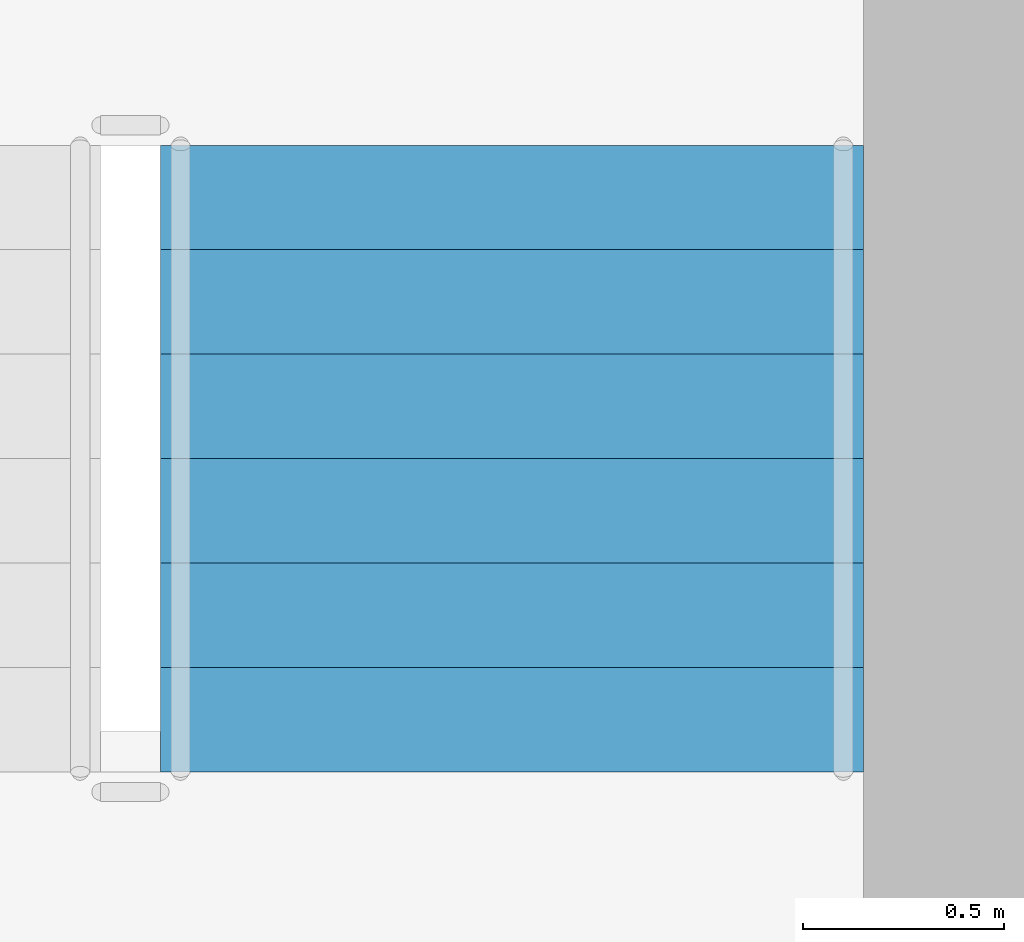
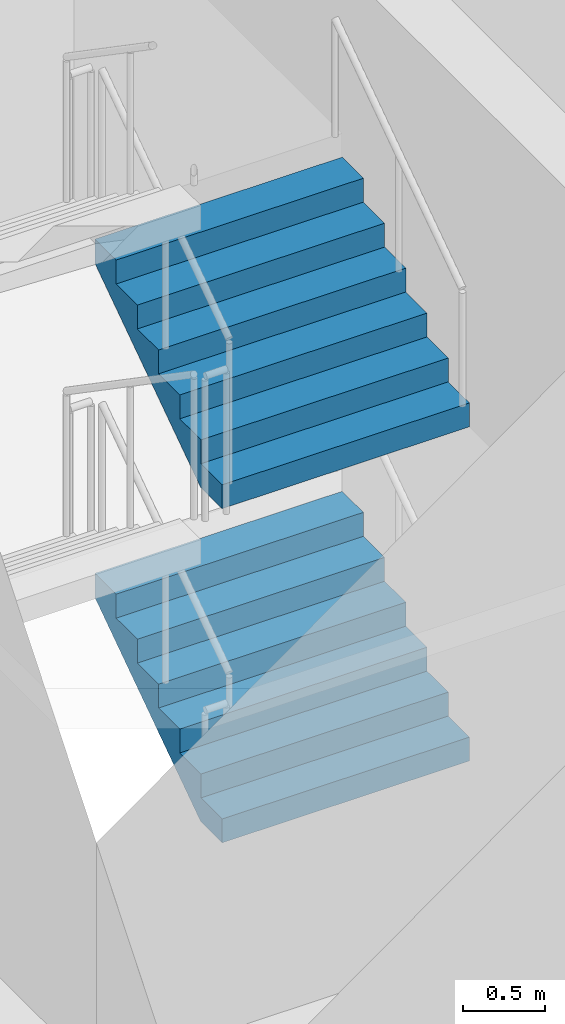
# One storey, part 41 of 59: 2 stair flights, 1 element without a shape of its own.
"""IFC4 building model written with IfcOpenShell, lengths in metres."""

from ifc_helpers import new_model, si_unit, direction, frame, origin, place, context, subcontext, project, spatial, faceted_brep, material, type_object, element, aggregate, save


model = new_model("IFC4")

# Units and contexts
model_context = context("Model", 3, precision=1e-05, world=origin(), true_north=direction((0.0, 1.0)))
body_context = subcontext(model_context, "Body", "Model", "MODEL_VIEW")
ifc_project = project(units=[si_unit("LENGTHUNIT", "METRE"), si_unit("AREAUNIT", "SQUARE_METRE"), si_unit("VOLUMEUNIT", "CUBIC_METRE"), si_unit("PLANEANGLEUNIT", "RADIAN"), si_unit("MASSUNIT", "GRAM", prefix="KILO")], contexts=[model_context])

# Site, building, storey
site_placement = place(None, origin())
site = spatial("IfcSite", under=ifc_project, at=site_placement, CompositionType="ELEMENT")
building_placement = place(site_placement, origin())
building = spatial("IfcBuilding", under=site, at=building_placement, Name="Ipe Terrace Towers", CompositionType="ELEMENT")
storey_placement = place(building_placement, frame((0.0, 0.0, 6.0)))
storey = spatial("IfcBuildingStorey", under=building, at=storey_placement, Name="L01", CompositionType="ELEMENT", Elevation=6.0)

# Stair, stair flights
ifc_material_1 = material(Name="Concrete C30/37", Category="concrete")
stair_type = type_object("IfcStairType", Name="Protected exit stair", PredefinedType="HALF_TURN_STAIR", material=ifc_material_1)
stair_placement = place(storey_placement, origin())
stair = element("IfcStair", 1, at=stair_placement, inside=storey, type_object=stair_type, Name="L01 Exit stair T2-C1", PredefinedType="HALF_TURN_STAIR")
ifc_material_2 = material(Name="Concrete C30/37", Category="concrete")
stair_flight_type = type_object("IfcStairFlightType", Name="Exit stair flight 1750", PredefinedType="STRAIGHT", material=ifc_material_2)
stair_flight_1_placement = place(storey_placement, frame((33.22509765625, 9.699951171875, 0.0), z_axis=(0.0, 0.0, 1.0), x_axis=(0.0, 1.0, 0.0)))
stair_flight_1 = element("IfcStairFlight", 2, at=stair_flight_1_placement, type_object=stair_flight_type, Name="T2-ST1 flight 1", NumberOfRisers=7, NumberOfTreads=6, PredefinedType="STRAIGHT", RiserHeight=0.178571429, TreadLength=0.26, context=body_context, shape_type="Brep", body=[
    faceted_brep([(0.264892578125, -0.875, 0.0), (1.56005859375, -0.875, 0.8896484375), (1.56005859375, -0.875, 1.071533203125), (1.300048828125, -0.875, 1.071533203125), (1.300048828125, -0.875, 0.892822265625), (1.0400390625, -0.875, 0.892822265625), (1.0400390625, -0.875, 0.71435546875), (0.780029296875, -0.875, 0.71435546875), (0.780029296875, -0.875, 0.53564453125), (0.52001953125, -0.875, 0.53564453125), (0.52001953125, -0.875, 0.357177734375), (0.260009765625, -0.875, 0.357177734375), (0.260009765625, -0.875, 0.178466796875), (0.0, -0.875, 0.178466796875), (0.0, -0.875, 0.0), (0.0, 0.875, 0.0), (0.0, 0.875, 0.178466796875), (0.260009765625, 0.875, 0.178466796875), (0.260009765625, 0.875, 0.357177734375), (0.52001953125, 0.875, 0.357177734375), (0.52001953125, 0.875, 0.53564453125), (0.780029296875, 0.875, 0.53564453125), (0.780029296875, 0.875, 0.71435546875), (1.0400390625, 0.875, 0.71435546875), (1.0400390625, 0.875, 0.892822265625), (1.300048828125, 0.875, 0.892822265625), (1.300048828125, 0.875, 1.071533203125), (1.56005859375, 0.875, 1.071533203125), (1.56005859375, 0.875, 0.8896484375), (0.264892578125, 0.875, 0.0), (0.0, -0.300048828125, 0.178466796875), (0.0, -0.1201171875, 0.178466796875), (0.0, -0.06005859375, 0.178466796875), (0.0, -0.030029296875, 0.178466796875), (0.0, -0.010009765625, 0.178466796875), (0.0, 0.0, 0.178466796875), (0.0, 0.010009765625, 0.178466796875), (0.0, 0.030029296875, 0.178466796875), (0.0, 0.06005859375, 0.178466796875), (0.0, 0.1201171875, 0.178466796875), (0.0, 0.300048828125, 0.178466796875), (0.0, 0.300048828125, 0.0), (0.0, 0.1201171875, 0.0), (0.0, 0.06005859375, 0.0), (0.0, 0.030029296875, 0.0), (0.0, 0.010009765625, 0.0), (0.0, 0.0, 0.0), (0.0, -0.010009765625, 0.0), (0.0, -0.030029296875, 0.0), (0.0, -0.06005859375, 0.0), (0.0, -0.1201171875, 0.0), (0.0, -0.300048828125, 0.0), (0.260009765625, -0.300048828125, 0.178466796875), (0.260009765625, -0.1201171875, 0.178466796875), (0.260009765625, -0.06005859375, 0.178466796875), (0.260009765625, -0.030029296875, 0.178466796875), (0.260009765625, -0.010009765625, 0.178466796875), (0.260009765625, 0.0, 0.178466796875), (0.260009765625, 0.010009765625, 0.178466796875), (0.260009765625, 0.030029296875, 0.178466796875), (0.260009765625, 0.06005859375, 0.178466796875), (0.260009765625, 0.1201171875, 0.178466796875), (0.260009765625, 0.300048828125, 0.178466796875), (0.260009765625, -0.300048828125, 0.357177734375), (0.260009765625, -0.1201171875, 0.357177734375), (0.260009765625, -0.06005859375, 0.357177734375), (0.260009765625, -0.030029296875, 0.357177734375), (0.260009765625, -0.010009765625, 0.357177734375), (0.260009765625, 0.0, 0.357177734375), (0.260009765625, 0.010009765625, 0.357177734375), (0.260009765625, 0.030029296875, 0.357177734375), (0.260009765625, 0.06005859375, 0.357177734375), (0.260009765625, 0.1201171875, 0.357177734375), (0.260009765625, 0.300048828125, 0.357177734375), (0.52001953125, -0.300048828125, 0.357177734375), (0.52001953125, -0.1201171875, 0.357177734375), (0.52001953125, -0.06005859375, 0.357177734375), (0.52001953125, -0.030029296875, 0.357177734375), (0.52001953125, -0.010009765625, 0.357177734375), (0.52001953125, 0.0, 0.357177734375), (0.52001953125, 0.010009765625, 0.357177734375), (0.52001953125, 0.030029296875, 0.357177734375), (0.52001953125, 0.06005859375, 0.357177734375), (0.52001953125, 0.1201171875, 0.357177734375), (0.52001953125, 0.300048828125, 0.357177734375), (0.52001953125, -0.300048828125, 0.53564453125), (0.52001953125, -0.1201171875, 0.53564453125), (0.52001953125, -0.06005859375, 0.53564453125), (0.52001953125, -0.030029296875, 0.53564453125), (0.52001953125, -0.010009765625, 0.53564453125), (0.52001953125, 0.0, 0.53564453125), (0.52001953125, 0.010009765625, 0.53564453125), (0.52001953125, 0.030029296875, 0.53564453125), (0.52001953125, 0.06005859375, 0.53564453125), (0.52001953125, 0.1201171875, 0.53564453125), (0.52001953125, 0.300048828125, 0.53564453125), (0.780029296875, -0.300048828125, 0.53564453125), (0.780029296875, -0.1201171875, 0.53564453125), (0.780029296875, -0.06005859375, 0.53564453125), (0.780029296875, -0.030029296875, 0.53564453125), (0.780029296875, -0.010009765625, 0.53564453125), (0.780029296875, 0.0, 0.53564453125), (0.780029296875, 0.010009765625, 0.53564453125), (0.780029296875, 0.030029296875, 0.53564453125), (0.780029296875, 0.06005859375, 0.53564453125), (0.780029296875, 0.1201171875, 0.53564453125), (0.780029296875, 0.300048828125, 0.53564453125), (0.780029296875, -0.300048828125, 0.71435546875), (0.780029296875, -0.1201171875, 0.71435546875), (0.780029296875, -0.06005859375, 0.71435546875), (0.780029296875, -0.030029296875, 0.71435546875), (0.780029296875, -0.010009765625, 0.71435546875), (0.780029296875, 0.0, 0.71435546875), (0.780029296875, 0.010009765625, 0.71435546875), (0.780029296875, 0.030029296875, 0.71435546875), (0.780029296875, 0.06005859375, 0.71435546875), (0.780029296875, 0.1201171875, 0.71435546875), (0.780029296875, 0.300048828125, 0.71435546875), (1.0400390625, -0.300048828125, 0.71435546875), (1.0400390625, -0.1201171875, 0.71435546875), (1.0400390625, -0.06005859375, 0.71435546875), (1.0400390625, -0.030029296875, 0.71435546875), (1.0400390625, -0.010009765625, 0.71435546875), (1.0400390625, 0.0, 0.71435546875), (1.0400390625, 0.010009765625, 0.71435546875), (1.0400390625, 0.030029296875, 0.71435546875), (1.0400390625, 0.06005859375, 0.71435546875), (1.0400390625, 0.1201171875, 0.71435546875), (1.0400390625, 0.300048828125, 0.71435546875), (1.0400390625, -0.300048828125, 0.892822265625), (1.0400390625, -0.1201171875, 0.892822265625), (1.0400390625, -0.06005859375, 0.892822265625), (1.0400390625, -0.030029296875, 0.892822265625), (1.0400390625, -0.010009765625, 0.892822265625), (1.0400390625, 0.0, 0.892822265625), (1.0400390625, 0.010009765625, 0.892822265625), (1.0400390625, 0.030029296875, 0.892822265625), (1.0400390625, 0.06005859375, 0.892822265625), (1.0400390625, 0.1201171875, 0.892822265625), (1.0400390625, 0.300048828125, 0.892822265625), (1.300048828125, -0.300048828125, 0.892822265625), (1.300048828125, -0.1201171875, 0.892822265625), (1.300048828125, -0.06005859375, 0.892822265625), (1.300048828125, -0.030029296875, 0.892822265625), (1.300048828125, -0.010009765625, 0.892822265625), (1.300048828125, 0.0, 0.892822265625), (1.300048828125, 0.010009765625, 0.892822265625), (1.300048828125, 0.030029296875, 0.892822265625), (1.300048828125, 0.06005859375, 0.892822265625), (1.300048828125, 0.1201171875, 0.892822265625), (1.300048828125, 0.300048828125, 0.892822265625), (1.300048828125, -0.300048828125, 1.071533203125), (1.300048828125, -0.1201171875, 1.071533203125), (1.300048828125, -0.06005859375, 1.071533203125), (1.300048828125, -0.030029296875, 1.071533203125), (1.300048828125, -0.010009765625, 1.071533203125), (1.300048828125, 0.0, 1.071533203125), (1.300048828125, 0.010009765625, 1.071533203125), (1.300048828125, 0.030029296875, 1.071533203125), (1.300048828125, 0.06005859375, 1.071533203125), (1.300048828125, 0.1201171875, 1.071533203125), (1.300048828125, 0.300048828125, 1.071533203125), (1.56005859375, -0.300048828125, 1.071533203125), (1.56005859375, -0.1201171875, 1.071533203125), (1.56005859375, -0.06005859375, 1.071533203125), (1.56005859375, -0.030029296875, 1.071533203125), (1.56005859375, -0.010009765625, 1.071533203125), (1.56005859375, 0.0, 1.071533203125), (1.56005859375, 0.010009765625, 1.071533203125), (1.56005859375, 0.030029296875, 1.071533203125), (1.56005859375, 0.06005859375, 1.071533203125), (1.56005859375, 0.1201171875, 1.071533203125), (1.56005859375, 0.300048828125, 1.071533203125), (1.56005859375, -0.300048828125, 0.8896484375), (1.56005859375, -0.1201171875, 0.8896484375), (1.56005859375, -0.06005859375, 0.8896484375), (1.56005859375, -0.030029296875, 0.8896484375), (1.56005859375, -0.010009765625, 0.8896484375), (1.56005859375, 0.0, 0.8896484375), (1.56005859375, 0.010009765625, 0.8896484375), (1.56005859375, 0.030029296875, 0.8896484375), (1.56005859375, 0.06005859375, 0.8896484375), (1.56005859375, 0.1201171875, 0.8896484375), (1.56005859375, 0.300048828125, 0.8896484375), (0.264892578125, -0.300048828125, 0.0), (0.264892578125, -0.1201171875, 0.0), (0.264892578125, -0.06005859375, 0.0), (0.264892578125, -0.030029296875, 0.0), (0.264892578125, -0.010009765625, 0.0), (0.264892578125, 0.0, 0.0), (0.264892578125, 0.010009765625, 0.0), (0.264892578125, 0.030029296875, 0.0), (0.264892578125, 0.06005859375, 0.0), (0.264892578125, 0.1201171875, 0.0), (0.264892578125, 0.300048828125, 0.0)], [[[0, 1, 2, 3, 4, 5, 6, 7, 8, 9, 10, 11, 12, 13, 14]], [[15, 16, 17, 18, 19, 20, 21, 22, 23, 24, 25, 26, 27, 28, 29]], [[13, 30, 31, 32, 33, 34, 35, 36, 37, 38, 39, 40, 16, 15, 41, 42, 43, 44, 45, 46, 47, 48, 49, 50, 51, 14]], [[12, 52, 53, 54, 55, 56, 57, 58, 59, 60, 61, 62, 17, 16, 40, 39, 38, 37, 36, 35, 34, 33, 32, 31, 30, 13]], [[11, 63, 64, 65, 66, 67, 68, 69, 70, 71, 72, 73, 18, 17, 62, 61, 60, 59, 58, 57, 56, 55, 54, 53, 52, 12]], [[10, 74, 75, 76, 77, 78, 79, 80, 81, 82, 83, 84, 19, 18, 73, 72, 71, 70, 69, 68, 67, 66, 65, 64, 63, 11]], [[9, 85, 86, 87, 88, 89, 90, 91, 92, 93, 94, 95, 20, 19, 84, 83, 82, 81, 80, 79, 78, 77, 76, 75, 74, 10]], [[8, 96, 97, 98, 99, 100, 101, 102, 103, 104, 105, 106, 21, 20, 95, 94, 93, 92, 91, 90, 89, 88, 87, 86, 85, 9]], [[7, 107, 108, 109, 110, 111, 112, 113, 114, 115, 116, 117, 22, 21, 106, 105, 104, 103, 102, 101, 100, 99, 98, 97, 96, 8]], [[6, 118, 119, 120, 121, 122, 123, 124, 125, 126, 127, 128, 23, 22, 117, 116, 115, 114, 113, 112, 111, 110, 109, 108, 107, 7]], [[5, 129, 130, 131, 132, 133, 134, 135, 136, 137, 138, 139, 24, 23, 128, 127, 126, 125, 124, 123, 122, 121, 120, 119, 118, 6]], [[4, 140, 141, 142, 143, 144, 145, 146, 147, 148, 149, 150, 25, 24, 139, 138, 137, 136, 135, 134, 133, 132, 131, 130, 129, 5]], [[3, 151, 152, 153, 154, 155, 156, 157, 158, 159, 160, 161, 26, 25, 150, 149, 148, 147, 146, 145, 144, 143, 142, 141, 140, 4]], [[2, 162, 163, 164, 165, 166, 167, 168, 169, 170, 171, 172, 27, 26, 161, 160, 159, 158, 157, 156, 155, 154, 153, 152, 151, 3]], [[1, 173, 174, 175, 176, 177, 178, 179, 180, 181, 182, 183, 28, 27, 172, 171, 170, 169, 168, 167, 166, 165, 164, 163, 162, 2]], [[0, 184, 185, 186, 187, 188, 189, 190, 191, 192, 193, 194, 29, 28, 183, 182, 181, 180, 179, 178, 177, 176, 175, 174, 173, 1]], [[14, 51, 50, 49, 48, 47, 46, 45, 44, 43, 42, 41, 15, 29, 194, 193, 192, 191, 190, 189, 188, 187, 186, 185, 184, 0]]]),
])
stair_flight_2_placement = place(storey_placement, frame((33.22509765625, 9.699951171875, 2.5), z_axis=(0.0, 0.0, 1.0), x_axis=(0.0, 1.0, 0.0)))
stair_flight_2 = element("IfcStairFlight", 3, at=stair_flight_2_placement, type_object=stair_flight_type, Name="T2-ST1 flight 3", NumberOfRisers=7, NumberOfTreads=6, PredefinedType="STRAIGHT", RiserHeight=0.178571429, TreadLength=0.26, context=body_context, shape_type="Brep", body=[
    faceted_brep([(0.264892578125, -0.875, 0.0), (1.56005859375, -0.875, 0.8896484375), (1.56005859375, -0.875, 1.071533203125), (1.300048828125, -0.875, 1.071533203125), (1.300048828125, -0.875, 0.892822265625), (1.0400390625, -0.875, 0.892822265625), (1.0400390625, -0.875, 0.71435546875), (0.780029296875, -0.875, 0.71435546875), (0.780029296875, -0.875, 0.53564453125), (0.52001953125, -0.875, 0.53564453125), (0.52001953125, -0.875, 0.357177734375), (0.260009765625, -0.875, 0.357177734375), (0.260009765625, -0.875, 0.178466796875), (0.0, -0.875, 0.178466796875), (0.0, -0.875, 0.0), (0.0, 0.875, 0.0), (0.0, 0.875, 0.178466796875), (0.260009765625, 0.875, 0.178466796875), (0.260009765625, 0.875, 0.357177734375), (0.52001953125, 0.875, 0.357177734375), (0.52001953125, 0.875, 0.53564453125), (0.780029296875, 0.875, 0.53564453125), (0.780029296875, 0.875, 0.71435546875), (1.0400390625, 0.875, 0.71435546875), (1.0400390625, 0.875, 0.892822265625), (1.300048828125, 0.875, 0.892822265625), (1.300048828125, 0.875, 1.071533203125), (1.56005859375, 0.875, 1.071533203125), (1.56005859375, 0.875, 0.8896484375), (0.264892578125, 0.875, 0.0), (0.0, -0.300048828125, 0.178466796875), (0.0, -0.1201171875, 0.178466796875), (0.0, -0.06005859375, 0.178466796875), (0.0, -0.030029296875, 0.178466796875), (0.0, -0.010009765625, 0.178466796875), (0.0, 0.0, 0.178466796875), (0.0, 0.010009765625, 0.178466796875), (0.0, 0.030029296875, 0.178466796875), (0.0, 0.06005859375, 0.178466796875), (0.0, 0.1201171875, 0.178466796875), (0.0, 0.300048828125, 0.178466796875), (0.0, 0.300048828125, 0.0), (0.0, 0.1201171875, 0.0), (0.0, 0.06005859375, 0.0), (0.0, 0.030029296875, 0.0), (0.0, 0.010009765625, 0.0), (0.0, 0.0, 0.0), (0.0, -0.010009765625, 0.0), (0.0, -0.030029296875, 0.0), (0.0, -0.06005859375, 0.0), (0.0, -0.1201171875, 0.0), (0.0, -0.300048828125, 0.0), (0.260009765625, -0.300048828125, 0.178466796875), (0.260009765625, -0.1201171875, 0.178466796875), (0.260009765625, -0.06005859375, 0.178466796875), (0.260009765625, -0.030029296875, 0.178466796875), (0.260009765625, -0.010009765625, 0.178466796875), (0.260009765625, 0.0, 0.178466796875), (0.260009765625, 0.010009765625, 0.178466796875), (0.260009765625, 0.030029296875, 0.178466796875), (0.260009765625, 0.06005859375, 0.178466796875), (0.260009765625, 0.1201171875, 0.178466796875), (0.260009765625, 0.300048828125, 0.178466796875), (0.260009765625, -0.300048828125, 0.357177734375), (0.260009765625, -0.1201171875, 0.357177734375), (0.260009765625, -0.06005859375, 0.357177734375), (0.260009765625, -0.030029296875, 0.357177734375), (0.260009765625, -0.010009765625, 0.357177734375), (0.260009765625, 0.0, 0.357177734375), (0.260009765625, 0.010009765625, 0.357177734375), (0.260009765625, 0.030029296875, 0.357177734375), (0.260009765625, 0.06005859375, 0.357177734375), (0.260009765625, 0.1201171875, 0.357177734375), (0.260009765625, 0.300048828125, 0.357177734375), (0.52001953125, -0.300048828125, 0.357177734375), (0.52001953125, -0.1201171875, 0.357177734375), (0.52001953125, -0.06005859375, 0.357177734375), (0.52001953125, -0.030029296875, 0.357177734375), (0.52001953125, -0.010009765625, 0.357177734375), (0.52001953125, 0.0, 0.357177734375), (0.52001953125, 0.010009765625, 0.357177734375), (0.52001953125, 0.030029296875, 0.357177734375), (0.52001953125, 0.06005859375, 0.357177734375), (0.52001953125, 0.1201171875, 0.357177734375), (0.52001953125, 0.300048828125, 0.357177734375), (0.52001953125, -0.300048828125, 0.53564453125), (0.52001953125, -0.1201171875, 0.53564453125), (0.52001953125, -0.06005859375, 0.53564453125), (0.52001953125, -0.030029296875, 0.53564453125), (0.52001953125, -0.010009765625, 0.53564453125), (0.52001953125, 0.0, 0.53564453125), (0.52001953125, 0.010009765625, 0.53564453125), (0.52001953125, 0.030029296875, 0.53564453125), (0.52001953125, 0.06005859375, 0.53564453125), (0.52001953125, 0.1201171875, 0.53564453125), (0.52001953125, 0.300048828125, 0.53564453125), (0.780029296875, -0.300048828125, 0.53564453125), (0.780029296875, -0.1201171875, 0.53564453125), (0.780029296875, -0.06005859375, 0.53564453125), (0.780029296875, -0.030029296875, 0.53564453125), (0.780029296875, -0.010009765625, 0.53564453125), (0.780029296875, 0.0, 0.53564453125), (0.780029296875, 0.010009765625, 0.53564453125), (0.780029296875, 0.030029296875, 0.53564453125), (0.780029296875, 0.06005859375, 0.53564453125), (0.780029296875, 0.1201171875, 0.53564453125), (0.780029296875, 0.300048828125, 0.53564453125), (0.780029296875, -0.300048828125, 0.71435546875), (0.780029296875, -0.1201171875, 0.71435546875), (0.780029296875, -0.06005859375, 0.71435546875), (0.780029296875, -0.030029296875, 0.71435546875), (0.780029296875, -0.010009765625, 0.71435546875), (0.780029296875, 0.0, 0.71435546875), (0.780029296875, 0.010009765625, 0.71435546875), (0.780029296875, 0.030029296875, 0.71435546875), (0.780029296875, 0.06005859375, 0.71435546875), (0.780029296875, 0.1201171875, 0.71435546875), (0.780029296875, 0.300048828125, 0.71435546875), (1.0400390625, -0.300048828125, 0.71435546875), (1.0400390625, -0.1201171875, 0.71435546875), (1.0400390625, -0.06005859375, 0.71435546875), (1.0400390625, -0.030029296875, 0.71435546875), (1.0400390625, -0.010009765625, 0.71435546875), (1.0400390625, 0.0, 0.71435546875), (1.0400390625, 0.010009765625, 0.71435546875), (1.0400390625, 0.030029296875, 0.71435546875), (1.0400390625, 0.06005859375, 0.71435546875), (1.0400390625, 0.1201171875, 0.71435546875), (1.0400390625, 0.300048828125, 0.71435546875), (1.0400390625, -0.300048828125, 0.892822265625), (1.0400390625, -0.1201171875, 0.892822265625), (1.0400390625, -0.06005859375, 0.892822265625), (1.0400390625, -0.030029296875, 0.892822265625), (1.0400390625, -0.010009765625, 0.892822265625), (1.0400390625, 0.0, 0.892822265625), (1.0400390625, 0.010009765625, 0.892822265625), (1.0400390625, 0.030029296875, 0.892822265625), (1.0400390625, 0.06005859375, 0.892822265625), (1.0400390625, 0.1201171875, 0.892822265625), (1.0400390625, 0.300048828125, 0.892822265625), (1.300048828125, -0.300048828125, 0.892822265625), (1.300048828125, -0.1201171875, 0.892822265625), (1.300048828125, -0.06005859375, 0.892822265625), (1.300048828125, -0.030029296875, 0.892822265625), (1.300048828125, -0.010009765625, 0.892822265625), (1.300048828125, 0.0, 0.892822265625), (1.300048828125, 0.010009765625, 0.892822265625), (1.300048828125, 0.030029296875, 0.892822265625), (1.300048828125, 0.06005859375, 0.892822265625), (1.300048828125, 0.1201171875, 0.892822265625), (1.300048828125, 0.300048828125, 0.892822265625), (1.300048828125, -0.300048828125, 1.071533203125), (1.300048828125, -0.1201171875, 1.071533203125), (1.300048828125, -0.06005859375, 1.071533203125), (1.300048828125, -0.030029296875, 1.071533203125), (1.300048828125, -0.010009765625, 1.071533203125), (1.300048828125, 0.0, 1.071533203125), (1.300048828125, 0.010009765625, 1.071533203125), (1.300048828125, 0.030029296875, 1.071533203125), (1.300048828125, 0.06005859375, 1.071533203125), (1.300048828125, 0.1201171875, 1.071533203125), (1.300048828125, 0.300048828125, 1.071533203125), (1.56005859375, -0.300048828125, 1.071533203125), (1.56005859375, -0.1201171875, 1.071533203125), (1.56005859375, -0.06005859375, 1.071533203125), (1.56005859375, -0.030029296875, 1.071533203125), (1.56005859375, -0.010009765625, 1.071533203125), (1.56005859375, 0.0, 1.071533203125), (1.56005859375, 0.010009765625, 1.071533203125), (1.56005859375, 0.030029296875, 1.071533203125), (1.56005859375, 0.06005859375, 1.071533203125), (1.56005859375, 0.1201171875, 1.071533203125), (1.56005859375, 0.300048828125, 1.071533203125), (1.56005859375, -0.300048828125, 0.8896484375), (1.56005859375, -0.1201171875, 0.8896484375), (1.56005859375, -0.06005859375, 0.8896484375), (1.56005859375, -0.030029296875, 0.8896484375), (1.56005859375, -0.010009765625, 0.8896484375), (1.56005859375, 0.0, 0.8896484375), (1.56005859375, 0.010009765625, 0.8896484375), (1.56005859375, 0.030029296875, 0.8896484375), (1.56005859375, 0.06005859375, 0.8896484375), (1.56005859375, 0.1201171875, 0.8896484375), (1.56005859375, 0.300048828125, 0.8896484375), (0.264892578125, -0.300048828125, 0.0), (0.264892578125, -0.1201171875, 0.0), (0.264892578125, -0.06005859375, 0.0), (0.264892578125, -0.030029296875, 0.0), (0.264892578125, -0.010009765625, 0.0), (0.264892578125, 0.0, 0.0), (0.264892578125, 0.010009765625, 0.0), (0.264892578125, 0.030029296875, 0.0), (0.264892578125, 0.06005859375, 0.0), (0.264892578125, 0.1201171875, 0.0), (0.264892578125, 0.300048828125, 0.0)], [[[0, 1, 2, 3, 4, 5, 6, 7, 8, 9, 10, 11, 12, 13, 14]], [[15, 16, 17, 18, 19, 20, 21, 22, 23, 24, 25, 26, 27, 28, 29]], [[13, 30, 31, 32, 33, 34, 35, 36, 37, 38, 39, 40, 16, 15, 41, 42, 43, 44, 45, 46, 47, 48, 49, 50, 51, 14]], [[12, 52, 53, 54, 55, 56, 57, 58, 59, 60, 61, 62, 17, 16, 40, 39, 38, 37, 36, 35, 34, 33, 32, 31, 30, 13]], [[11, 63, 64, 65, 66, 67, 68, 69, 70, 71, 72, 73, 18, 17, 62, 61, 60, 59, 58, 57, 56, 55, 54, 53, 52, 12]], [[10, 74, 75, 76, 77, 78, 79, 80, 81, 82, 83, 84, 19, 18, 73, 72, 71, 70, 69, 68, 67, 66, 65, 64, 63, 11]], [[9, 85, 86, 87, 88, 89, 90, 91, 92, 93, 94, 95, 20, 19, 84, 83, 82, 81, 80, 79, 78, 77, 76, 75, 74, 10]], [[8, 96, 97, 98, 99, 100, 101, 102, 103, 104, 105, 106, 21, 20, 95, 94, 93, 92, 91, 90, 89, 88, 87, 86, 85, 9]], [[7, 107, 108, 109, 110, 111, 112, 113, 114, 115, 116, 117, 22, 21, 106, 105, 104, 103, 102, 101, 100, 99, 98, 97, 96, 8]], [[6, 118, 119, 120, 121, 122, 123, 124, 125, 126, 127, 128, 23, 22, 117, 116, 115, 114, 113, 112, 111, 110, 109, 108, 107, 7]], [[5, 129, 130, 131, 132, 133, 134, 135, 136, 137, 138, 139, 24, 23, 128, 127, 126, 125, 124, 123, 122, 121, 120, 119, 118, 6]], [[4, 140, 141, 142, 143, 144, 145, 146, 147, 148, 149, 150, 25, 24, 139, 138, 137, 136, 135, 134, 133, 132, 131, 130, 129, 5]], [[3, 151, 152, 153, 154, 155, 156, 157, 158, 159, 160, 161, 26, 25, 150, 149, 148, 147, 146, 145, 144, 143, 142, 141, 140, 4]], [[2, 162, 163, 164, 165, 166, 167, 168, 169, 170, 171, 172, 27, 26, 161, 160, 159, 158, 157, 156, 155, 154, 153, 152, 151, 3]], [[1, 173, 174, 175, 176, 177, 178, 179, 180, 181, 182, 183, 28, 27, 172, 171, 170, 169, 168, 167, 166, 165, 164, 163, 162, 2]], [[0, 184, 185, 186, 187, 188, 189, 190, 191, 192, 193, 194, 29, 28, 183, 182, 181, 180, 179, 178, 177, 176, 175, 174, 173, 1]], [[14, 51, 50, 49, 48, 47, 46, 45, 44, 43, 42, 41, 15, 29, 194, 193, 192, 191, 190, 189, 188, 187, 186, 185, 184, 0]]]),
])
aggregate(stair, [stair_flight_1, stair_flight_2])

save(model, "model.ifc")
